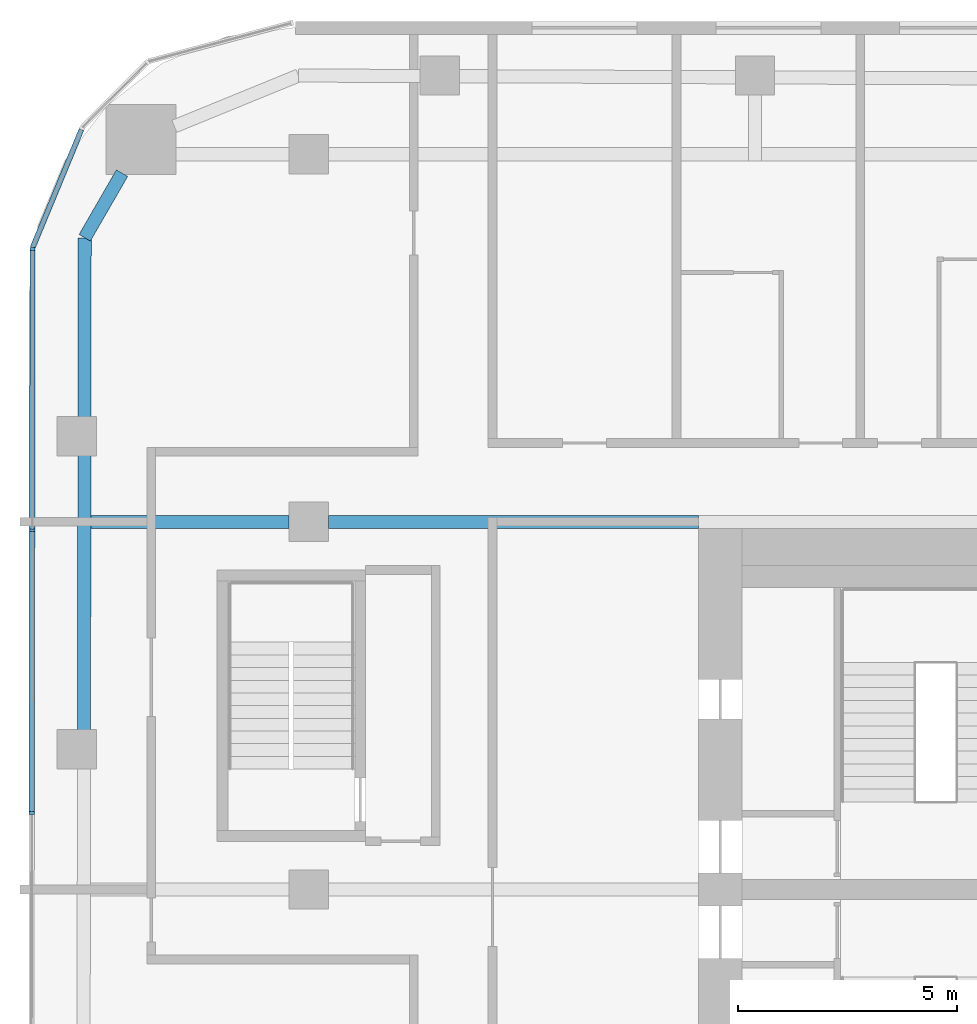
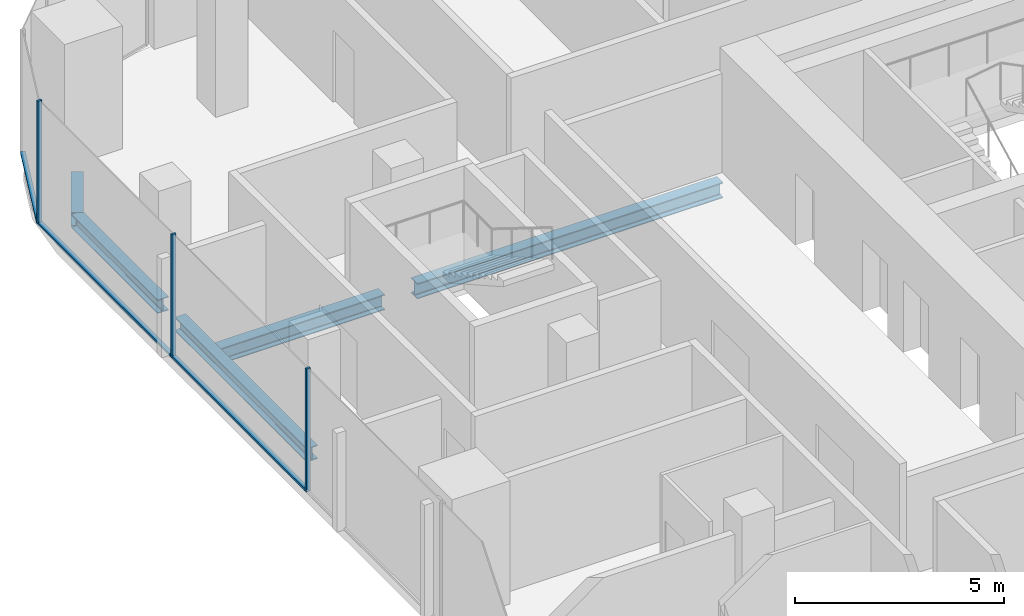
# One storey, part 8 of 23: 6 members, 5 beams, 2 elements without a shape of their own.
"""IFC4 building model written with IfcOpenShell, lengths in metres."""

from ifc_helpers import new_model, si_unit, direction, frame, origin, origin_2d, place, context, subcontext, project, spatial, rectangle, i_section, extrude, material, layer, layer_set, material_profile, profile_set, type_object, element, aggregate, save


model = new_model("IFC4")

# Units and contexts
model_context = context("Model", 3, precision=1e-05, world=origin(), true_north=direction((0.0, 1.0)))
body_context = subcontext(model_context, "Body", "Model", "MODEL_VIEW")
ifc_project = project(units=[si_unit("LENGTHUNIT", "METRE"), si_unit("AREAUNIT", "SQUARE_METRE"), si_unit("VOLUMEUNIT", "CUBIC_METRE"), si_unit("PLANEANGLEUNIT", "RADIAN"), si_unit("MASSUNIT", "GRAM", prefix="KILO")], contexts=[model_context])

# Site, building, storey
site_placement = place(None, origin())
site = spatial("IfcSite", under=ifc_project, at=site_placement, CompositionType="ELEMENT")
building_placement = place(site_placement, origin())
building = spatial("IfcBuilding", under=site, at=building_placement, Name="Marenta Gate Hotel Tower", CompositionType="ELEMENT")
storey_placement = place(building_placement, frame((0.0, 0.0, 112.10009765625)))
storey = spatial("IfcBuildingStorey", under=building, at=storey_placement, Name="L24", CompositionType="ELEMENT", Elevation=112.10009765625)

# Beams
ifc_material_1 = material(Name="Steel S355", Category="steel")
ifc_material_profile_1 = material_profile(ifc_material_1, i_section(OverallWidth=0.300048828125, OverallDepth=0.39990234375, WebThickness=0.013427734375, FlangeThickness=0.02392578125, FilletRadius=0.027099609375, at=origin_2d()), Name="HEB 400")
ifc_profile_set_1 = profile_set([ifc_material_profile_1], Name="Steel S355")
beam_type_1 = type_object("IfcBeamType", Name="Edge beam HEB 400", PredefinedType="SPANDREL", material=ifc_profile_set_1)
beam_1_placement = place(storey_placement, frame((-26.136962890625, 12.01318359375, -0.460205078125), z_axis=(0.001387763206, 0.999999037056, 0.0), x_axis=(-0.999999037056, 0.001387763206, 0.0)))
element("IfcBeam", 1, at=beam_1_placement, inside=storey, type_object=beam_type_1, Name="L24-EB-9", PredefinedType="SPANDREL", context=body_context, shape_type="SweptSolid", body=[
    extrude(i_section(OverallWidth=0.300048828125, OverallDepth=0.39990234375, WebThickness=0.013427734375, FlangeThickness=0.02392578125, FilletRadius=0.027099609375, at=origin_2d()), origin(), (0.0, 0.0, 1.0), 6.333251953125),
])
beam_2_placement = place(storey_placement, frame((-26.126953125, 19.16650390625, -0.460205078125), z_axis=(0.001361187116, 0.999999073584, 0.0), x_axis=(-0.999999073584, 0.001361187116, 0.0)))
element("IfcBeam", 2, at=beam_2_placement, inside=storey, type_object=beam_type_1, Name="L24-EB-10", PredefinedType="SPANDREL", context=body_context, shape_type="SweptSolid", body=[
    extrude(i_section(OverallWidth=0.300048828125, OverallDepth=0.39990234375, WebThickness=0.013427734375, FlangeThickness=0.02392578125, FilletRadius=0.027099609375, at=origin_2d()), origin(), (0.0, 0.0, 1.0), 4.125244140625),
])
beam_3_placement = place(storey_placement, frame((-26.121337890625, 23.291748046875, -0.460205078125), z_axis=(0.500015459501, 0.866016478054, 0.0), x_axis=(-0.866016478054, 0.500015459501, 0.0)))
element("IfcBeam", 3, at=beam_3_placement, inside=storey, type_object=beam_type_1, Name="L24-EB-11", PredefinedType="SPANDREL", context=body_context, shape_type="SweptSolid", body=[
    extrude(i_section(OverallWidth=0.300048828125, OverallDepth=0.39990234375, WebThickness=0.013427734375, FlangeThickness=0.02392578125, FilletRadius=0.027099609375, at=origin_2d()), origin(), (0.0, 0.0, 1.0), 1.70703125),
])
ifc_material_2 = material(Name="Steel S355", Category="steel")
ifc_material_profile_2 = material_profile(ifc_material_2, i_section(OverallWidth=0.300048828125, OverallDepth=0.449951171875, WebThickness=0.013916015625, FlangeThickness=0.02587890625, FilletRadius=0.027099609375, at=origin_2d()), Name="HEB 450")
ifc_profile_set_2 = profile_set([ifc_material_profile_2], Name="Steel S355")
beam_type_2 = type_object("IfcBeamType", Name="Girder HEB 450", PredefinedType="BEAM", material=ifc_profile_set_2)
beam_4_placement = place(storey_placement, frame((-25.980224609375, 16.800048828125, -0.485107421875), z_axis=(1.0, 0.0, 0.0), x_axis=(0.0, 1.0, 0.0)))
element("IfcBeam", 4, at=beam_4_placement, inside=storey, type_object=beam_type_2, Name="L24-GD-24", PredefinedType="BEAM", context=body_context, shape_type="SweptSolid", body=[
    extrude(i_section(OverallWidth=0.300048828125, OverallDepth=0.449951171875, WebThickness=0.013916015625, FlangeThickness=0.02587890625, FilletRadius=0.027099609375, at=origin_2d()), origin(), (0.0, 0.0, 1.0), 4.5302734375),
])
beam_5_placement = place(storey_placement, frame((-20.550048828125, 16.800048828125, -0.485107421875), z_axis=(1.0, 0.0, 0.0), x_axis=(0.0, 1.0, 0.0)))
element("IfcBeam", 5, at=beam_5_placement, inside=storey, type_object=beam_type_2, Name="L24-GD-25", PredefinedType="BEAM", context=body_context, shape_type="SweptSolid", body=[
    extrude(i_section(OverallWidth=0.300048828125, OverallDepth=0.449951171875, WebThickness=0.013916015625, FlangeThickness=0.02587890625, FilletRadius=0.027099609375, at=origin_2d()), origin(), (0.0, 0.0, 1.0), 8.449951171875),
])

# Curtain wall, members
ifc_material_3 = material(Name="Tinted insulated glass in bronze anodised frame", Category="glass")
ifc_layer = layer(ifc_material_3, 0.1201171875)
ifc_layer_set = layer_set([ifc_layer], Name="Tinted insulated glass in bronze anodised frame")
curtain_wall_type = type_object("IfcCurtainWallType", Name="Tower unitised curtain wall CW1", PredefinedType="NOTDEFINED", material=ifc_layer_set)
curtain_wall_1_placement = place(storey_placement, origin())
curtain_wall_1 = element("IfcCurtainWall", 6, at=curtain_wall_1_placement, inside=storey, type_object=curtain_wall_type, Name="CW1 run G03", PredefinedType="NOTDEFINED")
ifc_material_4 = material(Name="Bronze anodised aluminium", Category="aluminium")
ifc_material_profile_3 = material_profile(ifc_material_4, rectangle(XDim=0.1201171875, YDim=0.06005859375, at=origin_2d()), Name="Mullion CW1 60x120 bronze anodised aluminium")
ifc_profile_set_3 = profile_set([ifc_material_profile_3], Name="Bronze anodised aluminium")
member_type_1 = type_object("IfcMemberType", Name="Mullion CW1 60x120 bronze anodised aluminium", PredefinedType="MULLION", material=ifc_profile_set_3)
member_1_placement = place(storey_placement, frame((-27.312255859375, 23.0361328125, 0.0), z_axis=(0.0, 0.0, 1.0), x_axis=(0.99999877375, -0.001566045546, 0.0)))
member_1 = element("IfcMember", 7, at=member_1_placement, type_object=member_type_1, Name="CW1 mullion 1", PredefinedType="MULLION", context=body_context, shape_type="SweptSolid", body=[
    extrude(rectangle(XDim=0.1201171875, YDim=0.06005859375, at=origin_2d()), origin(), (0.0, 0.0, 1.0), 3.599853515625),
])
member_2_placement = place(storey_placement, frame((-27.322509765625, 16.606201171875, 0.0), z_axis=(0.0, 0.0, 1.0), x_axis=(0.99999877375, -0.001566045546, 0.0)))
member_2 = element("IfcMember", 8, at=member_2_placement, type_object=member_type_1, Name="CW1 mullion 2", PredefinedType="MULLION", context=body_context, shape_type="SweptSolid", body=[
    extrude(rectangle(XDim=0.1201171875, YDim=0.06005859375, at=origin_2d()), origin(), (0.0, 0.0, 1.0), 3.599853515625),
])
member_3_placement = place(storey_placement, frame((-27.33251953125, 10.146240234375, 0.0), z_axis=(0.0, 0.0, 1.0), x_axis=(0.99999877375, -0.001566045546, 0.0)))
member_3 = element("IfcMember", 9, at=member_3_placement, type_object=member_type_1, Name="CW1 mullion 3", PredefinedType="MULLION", context=body_context, shape_type="SweptSolid", body=[
    extrude(rectangle(XDim=0.1201171875, YDim=0.06005859375, at=origin_2d()), origin(), (0.0, 0.0, 1.0), 3.599853515625),
])

# Curtain wall, member
curtain_wall_2_placement = place(storey_placement, origin())
curtain_wall_2 = element("IfcCurtainWall", 10, at=curtain_wall_2_placement, inside=storey, type_object=curtain_wall_type, Name="CW1 run G02", PredefinedType="NOTDEFINED")
ifc_material_5 = material(Name="Bronze anodised aluminium", Category="aluminium")
ifc_material_profile_4 = material_profile(ifc_material_5, rectangle(XDim=0.1201171875, YDim=0.06005859375, at=origin_2d()), Name="Transom CW1 60x120 bronze anodised aluminium")
ifc_profile_set_4 = profile_set([ifc_material_profile_4], Name="Bronze anodised aluminium")
member_type_2 = type_object("IfcMemberType", Name="Transom CW1 60x120 bronze anodised aluminium", PredefinedType="USERDEFINED", material=ifc_profile_set_4)
member_4_placement = place(storey_placement, frame((-26.1953125, 25.76318359375, 0.02978515625), z_axis=(-0.382625093284, -0.923903695192, 0.0), x_axis=(0.923903695192, -0.382625093284, 0.0)))
member_4 = element("IfcMember", 11, at=member_4_placement, type_object=member_type_2, Name="CW1 transom 1.1", ObjectType="TRANSOM", PredefinedType="USERDEFINED", context=body_context, shape_type="SweptSolid", body=[
    extrude(rectangle(XDim=0.1201171875, YDim=0.06005859375, at=origin_2d()), origin(), (0.0, 0.0, 1.0), 2.919189453125),
])
aggregate(curtain_wall_2, [member_4])

# Member
member_5_placement = place(storey_placement, frame((-27.3125, 23.006103515625, 0.02978515625), z_axis=(-0.001533093902, -0.999998824811, 0.0), x_axis=(0.999998824811, -0.001533093902, 0.0)))
member_5 = element("IfcMember", 12, at=member_5_placement, type_object=member_type_2, Name="CW1 transom 1.1", ObjectType="TRANSOM", PredefinedType="USERDEFINED", context=body_context, shape_type="SweptSolid", body=[
    extrude(rectangle(XDim=0.1201171875, YDim=0.06005859375, at=origin_2d()), origin(), (0.0, 0.0, 1.0), 6.369873046875),
])

member_6_placement = place(storey_placement, frame((-27.322509765625, 16.576171875, 0.02978515625), z_axis=(-0.001564047831, -0.999998776876, 0.0), x_axis=(0.999998776876, -0.001564047831, 0.0)))
member_6 = element("IfcMember", 13, at=member_6_placement, type_object=member_type_2, Name="CW1 transom 2.1", ObjectType="TRANSOM", PredefinedType="USERDEFINED", context=body_context, shape_type="SweptSolid", body=[
    extrude(rectangle(XDim=0.1201171875, YDim=0.06005859375, at=origin_2d()), origin(), (0.0, 0.0, 1.0), 6.39990234375),
])

aggregate(curtain_wall_1, [member_1, member_2, member_3, member_5, member_6])

save(model, "model.ifc")
